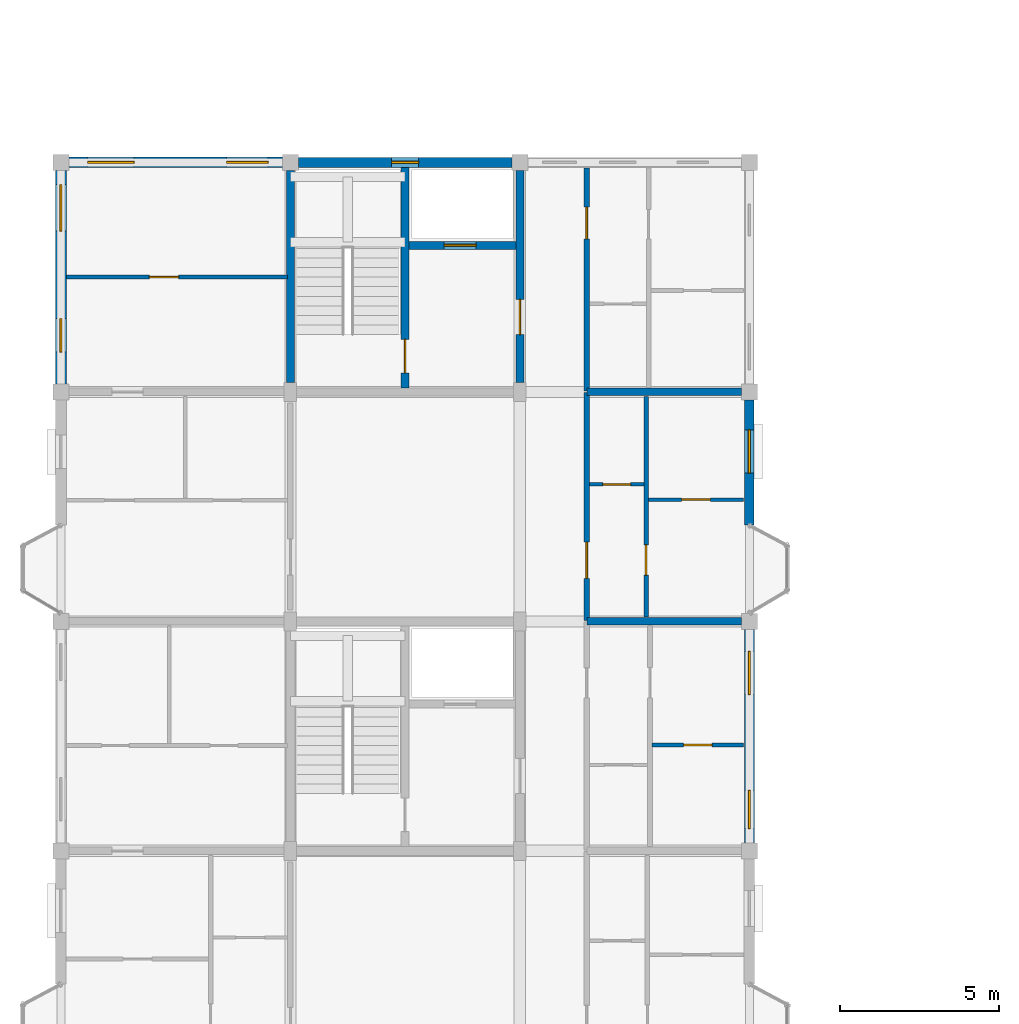
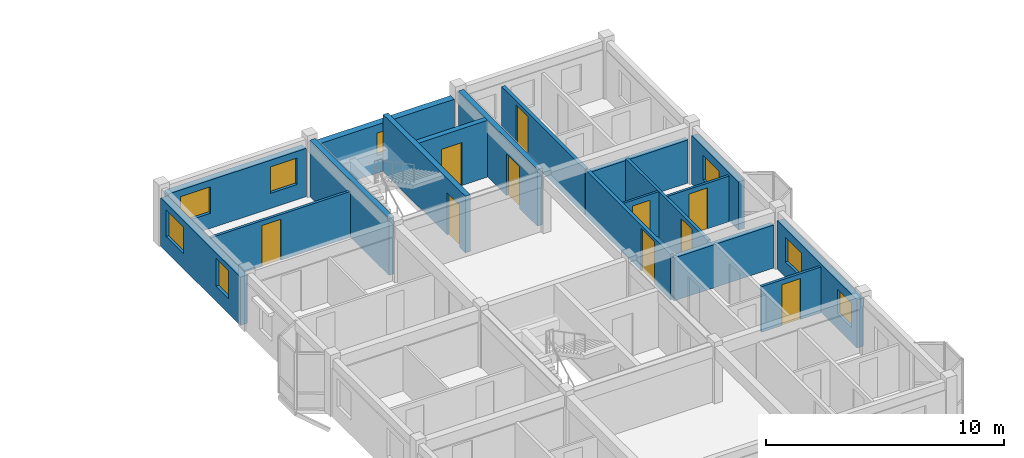
# One storey, part 52 of 70: 18 walls, 10 doors, 8 windows, 18 openings.
"""IFC4 building model written with IfcOpenShell, lengths in metres."""

import ifcopenshell
import ifcopenshell.guid

model = None  # the IFC model being written
_history = None  # IfcOwnerHistory: only IFC2X3 demands one
_inside = {}  # id of a spatial element -> (the spatial element, [elements in it])
_under = {}  # id of a project, library or spatial element -> (it, [spatial elements below it])
_declared = {}  # id of a project -> (the project, [libraries it declares])
_typed = {}  # id of a type object -> (the type object, [elements of that type])
_made_of = {}  # id of a material, layer set ... -> (it, [elements and type objects made of it])


def new_model(schema):
    """Start an empty IFC model of exactly this schema.

    Asked for "IFC4X3", IfcOpenShell would pick the latest addendum, in which some entities
    have other attributes; the version numbers below select the first issue.
    IFC2X3 requires an IfcOwnerHistory on every rooted entity: one is made here for all.
    """
    global model, _history
    if schema == "IFC4X3":
        model = ifcopenshell.file(schema_version=(4, 3, 0, 0))
    else:
        model = ifcopenshell.file(schema=schema)
    _inside.clear()
    _under.clear()
    _declared.clear()
    _typed.clear()
    _made_of.clear()
    _history = None
    if model.schema == "IFC2X3":
        org = make("IfcOrganization", Name="unknown")
        user = make(
            "IfcPersonAndOrganization",
            ThePerson=make("IfcPerson", FamilyName="unknown"),
            TheOrganization=org,
        )
        app = make(
            "IfcApplication",
            ApplicationDeveloper=org,
            Version="unknown",
            ApplicationFullName="unknown",
            ApplicationIdentifier="unknown",
        )
        _history = make(
            "IfcOwnerHistory",
            OwningUser=user,
            OwningApplication=app,
            ChangeAction="ADDED",
            CreationDate=0,
        )
    return model


def make(cls, **values):
    """One entity of the class cls with the attributes given. An attribute that is None is left unset."""
    return model.create_entity(
        cls, **{name: value for name, value in values.items() if value is not None}
    )


def rooted(cls, **values):
    """An entity with a GlobalId (a new one), such as an element, a storey or a relation."""
    return make(cls, GlobalId=ifcopenshell.guid.new(), OwnerHistory=_history, **values)


def si_unit(unit_type, name, prefix=None):
    """IfcSIUnit, for example si_unit("LENGTHUNIT", "METRE", prefix="MILLI")."""
    return make("IfcSIUnit", UnitType=unit_type, Prefix=prefix, Name=name)


def assignment(units):
    """IfcUnitAssignment: the units of a project."""
    return None if units is None else make("IfcUnitAssignment", Units=units)


def point(xyz):
    """IfcCartesianPoint."""
    return None if xyz is None else make("IfcCartesianPoint", Coordinates=xyz)


def direction(xyz):
    """IfcDirection."""
    return None if xyz is None else make("IfcDirection", DirectionRatios=xyz)


def frame(location, z_axis=None, x_axis=None):
    """IfcAxis2Placement3D, a coordinate frame: its origin and axes. An axis left out is left unset."""
    return make(
        "IfcAxis2Placement3D",
        Location=point(location),
        Axis=direction(z_axis),
        RefDirection=direction(x_axis),
    )


def frame_2d(location, x_axis=None):
    """IfcAxis2Placement2D, a coordinate frame in the plane: its origin and x axis."""
    return make(
        "IfcAxis2Placement2D", Location=point(location), RefDirection=direction(x_axis)
    )


def origin():
    """The frame at (0, 0, 0) with its axes left unset."""
    return frame((0.0, 0.0, 0.0))


def place(relative_to, where):
    """IfcLocalPlacement: puts the frame where relative to a parent placement (None: the world)."""
    return make(
        "IfcLocalPlacement", PlacementRelTo=relative_to, RelativePlacement=where
    )


def context(
    kind, dimensions, precision=None, world=None, true_north=None, identifier=None
):
    """IfcGeometricRepresentationContext, for example the 3D "Model" context."""
    return make(
        "IfcGeometricRepresentationContext",
        ContextIdentifier=identifier,
        ContextType=kind,
        CoordinateSpaceDimension=dimensions,
        Precision=precision,
        WorldCoordinateSystem=world,
        TrueNorth=true_north,
    )


def subcontext(parent, identifier, kind, view, scale=None):
    """IfcGeometricRepresentationSubContext, for example "Body" below "Model"."""
    return make(
        "IfcGeometricRepresentationSubContext",
        ContextIdentifier=identifier,
        ContextType=kind,
        ParentContext=parent,
        TargetScale=scale,
        TargetView=view,
    )


def project(units=None, contexts=None):
    """IfcProject with its units and contexts."""
    return rooted(
        "IfcProject",
        Name="project",
        RepresentationContexts=contexts,
        UnitsInContext=assignment(units),
    )


def spatial(cls, under=None, at=None, **own):
    """A site, building, storey or space (cls), placed at a placement, below another one or the project."""
    s = rooted(cls, ObjectPlacement=at, **own)
    if under is not None:
        _under.setdefault(under.id(), (under, []))[1].append(s)
    return s


def profile(cls, at=None, kind="AREA", **sizes):
    """A parametric profile (cls). Its sizes go by their IFC names, for example OverallWidth=200.0."""
    return make(cls, ProfileType=kind, Position=at, **sizes)


def rectangle(**sizes):
    """IfcRectangleProfileDef."""
    return profile("IfcRectangleProfileDef", **sizes)


def extrude(swept, where, along, depth):
    """IfcExtrudedAreaSolid: the profile swept, set in the frame where, extruded along a direction by depth."""
    return make(
        "IfcExtrudedAreaSolid",
        SweptArea=swept,
        Position=where,
        ExtrudedDirection=direction(along),
        Depth=depth,
    )


def shape(context_of_items, identifier, shape_type, items):
    """IfcShapeRepresentation: the items that make up one representation, for example the "Body"."""
    return make(
        "IfcShapeRepresentation",
        ContextOfItems=context_of_items,
        RepresentationIdentifier=identifier,
        RepresentationType=shape_type,
        Items=items,
    )


def material(Name=None, Category=None):
    """IfcMaterial."""
    return make("IfcMaterial", Name=Name, Category=Category)


def layer(
    of_material, thickness, ventilated=None, Name=None, Category=None, Priority=None
):
    """IfcMaterialLayer: one layer of a wall or slab, of a material (None: an air gap)."""
    return make(
        "IfcMaterialLayer",
        Material=of_material,
        LayerThickness=thickness,
        IsVentilated=ventilated,
        Name=Name,
        Category=Category,
        Priority=Priority,
    )


def layer_set(layers, Name=None):
    """IfcMaterialLayerSet."""
    return make("IfcMaterialLayerSet", MaterialLayers=layers, LayerSetName=Name)


def made_of(thing, what):
    """Note that an element or type object is made of a material, layer set ...; save() writes the relation."""
    if what is not None:
        _made_of.setdefault(what.id(), (what, []))[1].append(thing)
    return thing


def type_object(cls, material=None, **own):
    """A type object (cls), such as IfcWallType, which elements share."""
    return made_of(rooted(cls, **own), material)


def element(
    cls,
    number,
    at=None,
    inside=None,
    cuts=None,
    type_object=None,
    material=None,
    context=None,
    identifier="Body",
    shape_type=None,
    held_by="IfcProductDefinitionShape",
    body=None,
    shapes=None,
    **own,
):
    """One element of the class cls, such as IfcWall. Its Tag is "e" and its number.

    at: its placement. inside: the storey or other place that contains it. cuts: it is an
    opening in that element (IfcRelVoidsElement). A single representation is given by context,
    identifier, shape_type and body (its items); several are given by shapes. held_by: the class
    of the entity that holds the representations. save() writes the other relations.
    """
    e = rooted(cls, Tag="e%d" % number, ObjectPlacement=at, **own)
    if body is not None:
        shapes = [shape(context, identifier, shape_type, body)]
    if shapes is not None:
        e.Representation = make(held_by, Representations=shapes)
    if inside is not None:
        _inside.setdefault(inside.id(), (inside, []))[1].append(e)
    if cuts is not None:
        rooted(
            "IfcRelVoidsElement", RelatingBuildingElement=cuts, RelatedOpeningElement=e
        )
    if type_object is not None:
        _typed.setdefault(type_object.id(), (type_object, []))[1].append(e)
    return made_of(e, material)


def fill(opening, filler):
    """IfcRelFillsElement: the door or window that sits in an opening."""
    return rooted(
        "IfcRelFillsElement",
        RelatingOpeningElement=opening,
        RelatedBuildingElement=filler,
    )


def aggregate(whole, parts):
    """IfcRelAggregates: a whole, such as a stair, and the parts it consists of."""
    return rooted("IfcRelAggregates", RelatingObject=whole, RelatedObjects=parts)


def save(model, path):
    """Write the relations noted so far, then the file.

    IfcRelAggregates (storeys below a building ...), IfcRelContainedInSpatialStructure (elements
    in a storey), IfcRelDefinesByType, IfcRelAssociatesMaterial and IfcRelDeclares: one each for
    every whole, place, type object, material and project.
    """
    for whole, parts in _under.values():
        aggregate(whole, parts)
    for where, things in _inside.values():
        rooted(
            "IfcRelContainedInSpatialStructure",
            RelatedElements=things,
            RelatingStructure=where,
        )
    for kind, things in _typed.values():
        rooted("IfcRelDefinesByType", RelatedObjects=things, RelatingType=kind)
    for what, things in _made_of.values():
        rooted("IfcRelAssociatesMaterial", RelatedObjects=things, RelatingMaterial=what)
    for by, libraries in _declared.values():
        rooted("IfcRelDeclares", RelatingContext=by, RelatedDefinitions=libraries)
    model.write(path)


model = new_model("IFC4")

# Units and contexts
model_context = context("Model", 3, precision=1e-05, world=origin(), true_north=direction((0.0, 1.0)))
body_context = subcontext(model_context, "Body", "Model", "MODEL_VIEW")
ifc_project = project(units=[si_unit("LENGTHUNIT", "METRE"), si_unit("AREAUNIT", "SQUARE_METRE"), si_unit("VOLUMEUNIT", "CUBIC_METRE"), si_unit("PLANEANGLEUNIT", "RADIAN"), si_unit("MASSUNIT", "GRAM", prefix="KILO"), si_unit("THERMODYNAMICTEMPERATUREUNIT", "KELVIN"), si_unit("POWERUNIT", "WATT")], contexts=[model_context])

# Site, building, storey
site_placement = place(None, origin())
site = spatial("IfcSite", under=ifc_project, at=site_placement, CompositionType="ELEMENT")
building_placement = place(site_placement, origin())
building = spatial("IfcBuilding", under=site, at=building_placement, Name="Tavuni Mirador Residences", CompositionType="ELEMENT")
storey_placement = place(building_placement, frame((0.0, 0.0, 23.39990234375)))
storey = spatial("IfcBuildingStorey", under=building, at=storey_placement, Name="L07", CompositionType="ELEMENT", Elevation=23.39990234375)

# Wall
ifc_material_1 = material(Name="Precast concrete C40/50", Category="concrete")
ifc_layer_1 = layer(ifc_material_1, 0.25, Name="Precast concrete C40/50", Category="concrete")
ifc_layer_set_1 = layer_set([ifc_layer_1], Name="Precast concrete C40/50")
wall_type_1 = type_object("IfcWallType", Name="WT-COR250", PredefinedType="SHEAR", material=ifc_layer_set_1)
wall_1_placement = place(storey_placement, frame((10.800048828125, 86.699951171875, 0.0), z_axis=(0.0, 0.0, 1.0), x_axis=(0.0, 1.0, 0.0)))
element("IfcWall", 1, at=wall_1_placement, inside=storey, type_object=wall_type_1, Name="CWALL-C4-L07-W", PredefinedType="SHEAR", context=body_context, shape_type="SweptSolid", body=[
    extrude(rectangle(XDim=6.650146484375, YDim=0.25, at=frame_2d((3.3251953125, 0.0))), origin(), (0.0, 0.0, 1.0), 2.91015625),
])

# Wall, opening, door
wall_2_placement = place(storey_placement, frame((18.0, 86.699951171875, 0.0), z_axis=(0.0, 0.0, 1.0), x_axis=(0.0, 1.0, 0.0)))
wall_2 = element("IfcWall", 2, at=wall_2_placement, inside=storey, type_object=wall_type_1, Name="CWALL-C4-L07-E", PredefinedType="SHEAR", context=body_context, shape_type="SweptSolid", body=[
    extrude(rectangle(XDim=6.650146484375, YDim=0.25, at=frame_2d((3.3251953125, 0.0))), origin(), (0.0, 0.0, 1.0), 2.91015625),
])
opening_1_placement = place(wall_2_placement, frame((1.5, 0.0, 0.0)))
opening_1 = element("IfcOpeningElement", 3, at=opening_1_placement, cuts=wall_2, Name="Opening D-02", PredefinedType="OPENING", context=body_context, shape_type="SweptSolid", body=[
    extrude(rectangle(XDim=1.10009765625, YDim=2.14990234375, at=frame_2d((0.550048828125, 1.074951171875))), frame((0.0, 0.135009765625, 0.0), z_axis=(0.0, -1.0, 0.0), x_axis=(1.0, 0.0, 0.0)), (0.0, 0.0, 1.0), 0.27001953125),
])
ifc_material_2 = material(Name="Solid core iroko timber", Category="wood")
door_type_1 = type_object("IfcDoorType", Name="DT-LOB1100", OperationType="NOTDEFINED", PredefinedType="DOOR", material=ifc_material_2)
door_1_placement = place(opening_1_placement, frame((1.10009765625, 0.0, 0.0), z_axis=(0.0, 0.0, 1.0), x_axis=(-1.0, 0.0, 0.0)))
door_1 = element("IfcDoor", 4, at=door_1_placement, inside=storey, type_object=door_type_1, Name="DR-2165", OperationType="SINGLE_SWING_RIGHT", OverallHeight=2.14990234375, OverallWidth=1.10009765625, PredefinedType="DOOR", context=body_context, shape_type="SweptSolid", body=[
    extrude(rectangle(XDim=1.10009765625, YDim=2.14990234375, at=frame_2d((0.550048828125, 1.074951171875))), frame((0.0, 0.02490234375, 0.0), z_axis=(0.0, -1.0, 0.0), x_axis=(1.0, 0.0, 0.0)), (0.0, 0.0, 1.0), 0.050048828125),
])
fill(opening_1, door_1)

wall_3_placement = place(storey_placement, frame((14.39990234375, 86.52490234375, 0.0), z_axis=(0.0, 0.0, 1.0), x_axis=(0.0, 1.0, 0.0)))
wall_3 = element("IfcWall", 5, at=wall_3_placement, inside=storey, type_object=wall_type_1, Name="CWALL-C4-L07-MID", PredefinedType="SHEAR", context=body_context, shape_type="SweptSolid", body=[
    extrude(rectangle(XDim=6.9150390625, YDim=0.25, at=frame_2d((3.45751953125, 0.0))), origin(), (0.0, 0.0, 1.0), 2.91015625),
])
opening_2_placement = place(wall_3_placement, frame((0.47509765625, 0.0, 0.0)))
opening_2 = element("IfcOpeningElement", 6, at=opening_2_placement, cuts=wall_3, Name="Opening D-01", PredefinedType="OPENING", context=body_context, shape_type="SweptSolid", body=[
    extrude(rectangle(XDim=1.050048828125, YDim=2.14990234375, at=frame_2d((0.52490234375, 1.074951171875))), frame((0.0, 0.135009765625, 0.0), z_axis=(0.0, -1.0, 0.0), x_axis=(1.0, 0.0, 0.0)), (0.0, 0.0, 1.0), 0.27001953125),
])
door_type_2 = type_object("IfcDoorType", Name="DT-ST1050", OperationType="NOTDEFINED", PredefinedType="DOOR", material=ifc_material_2)
door_2_placement = place(opening_2_placement, origin())
door_2 = element("IfcDoor", 7, at=door_2_placement, inside=storey, type_object=door_type_2, Name="DR-2166", OperationType="SINGLE_SWING_RIGHT", OverallHeight=2.14990234375, OverallWidth=1.050048828125, PredefinedType="DOOR", context=body_context, shape_type="SweptSolid", body=[
    extrude(rectangle(XDim=1.050048828125, YDim=2.14990234375, at=frame_2d((0.52490234375, 1.074951171875))), frame((0.0, 0.02490234375, 0.0), z_axis=(0.0, -1.0, 0.0), x_axis=(1.0, 0.0, 0.0)), (0.0, 0.0, 1.0), 0.050048828125),
])
fill(opening_2, door_2)

wall_4_placement = place(storey_placement, frame((14.52490234375, 91.0, 0.0), z_axis=(0.0, 0.0, 1.0), x_axis=(1.0, 0.0, 0.0)))
wall_4 = element("IfcWall", 8, at=wall_4_placement, inside=storey, type_object=wall_type_1, Name="CWALL-C4-L07-SHF", PredefinedType="SHEAR", context=body_context, shape_type="SweptSolid", body=[
    extrude(rectangle(XDim=3.35009765625, YDim=0.25, at=frame_2d((1.675048828125, 0.0))), origin(), (0.0, 0.0, 1.0), 2.91015625),
])
opening_3_placement = place(wall_4_placement, frame((1.10009765625, 0.0, 0.0)))
opening_3 = element("IfcOpeningElement", 9, at=opening_3_placement, cuts=wall_4, Name="Opening LD-02", PredefinedType="OPENING", context=body_context, shape_type="SweptSolid", body=[
    extrude(rectangle(XDim=1.0, YDim=2.199951171875, at=frame_2d((0.5, 1.10009765625))), frame((0.0, 0.135009765625, 0.0), z_axis=(0.0, -1.0, 0.0), x_axis=(1.0, 0.0, 0.0)), (0.0, 0.0, 1.0), 0.27001953125),
])
ifc_material_3 = material(Name="Structural steel S355", Category="steel")
door_type_3 = type_object("IfcDoorType", Name="DT-LD-PAX", OperationType="SLIDING_TO_LEFT", PredefinedType="DOOR", material=ifc_material_3)
door_3_placement = place(opening_3_placement, origin())
door_3 = element("IfcDoor", 10, at=door_3_placement, inside=storey, type_object=door_type_3, Name="Lift landing door PL-B2 L07", OperationType="SLIDING_TO_LEFT", OverallHeight=2.199951171875, OverallWidth=1.0, PredefinedType="DOOR", context=body_context, shape_type="SweptSolid", body=[
    extrude(rectangle(XDim=1.0, YDim=2.199951171875, at=frame_2d((0.5, 1.10009765625))), frame((0.0, 0.02490234375, 0.0), z_axis=(0.0, -1.0, 0.0), x_axis=(1.0, 0.0, 0.0)), (0.0, 0.0, 1.0), 0.050048828125),
])
fill(opening_3, door_3)

ifc_layer_2 = layer(ifc_material_1, 0.1650390625, Name="Precast concrete C40/50", Category="concrete")
ifc_layer_set_2 = layer_set([ifc_layer_2], Name="Precast concrete C40/50")
wall_type_2 = type_object("IfcWallType", Name="WT-CORR165", PredefinedType="PARTITIONING", material=ifc_layer_set_2)
wall_5_placement = place(storey_placement, frame((20.10009765625, 79.219970703125, 0.0), z_axis=(0.0, 0.0, 1.0), x_axis=(0.0, 1.0, 0.0)))
wall_5 = element("IfcWall", 11, at=wall_5_placement, inside=storey, type_object=wall_type_2, Name="CORW-BLK-B-L07-0-02", PredefinedType="PARTITIONING", context=body_context, shape_type="SweptSolid", body=[
    extrude(rectangle(XDim=7.159912109375, YDim=0.1650390625, at=frame_2d((3.580078125, 0.0))), origin(), (0.0, 0.0, 1.0), 2.34521484375),
])
opening_4_placement = place(wall_5_placement, frame((1.330078125, 0.0, 0.0)))
opening_4 = element("IfcOpeningElement", 12, at=opening_4_placement, cuts=wall_5, Name="Opening D-20", PredefinedType="OPENING", context=body_context, shape_type="SweptSolid", body=[
    extrude(rectangle(XDim=1.139892578125, YDim=2.179931640625, at=frame_2d((0.56982421875, 1.08984375))), frame((0.0, 0.092529296875, 0.0), z_axis=(0.0, -1.0, 0.0), x_axis=(1.0, 0.0, 0.0)), (0.0, 0.0, 1.0), 0.18505859375),
])
door_type_4 = type_object("IfcDoorType", Name="DT-FD60-1140", OperationType="NOTDEFINED", PredefinedType="DOOR", material=ifc_material_2)
door_4_placement = place(opening_4_placement, origin())
door_4 = element("IfcDoor", 13, at=door_4_placement, inside=storey, type_object=door_type_4, Name="DR-2585", OperationType="SINGLE_SWING_RIGHT", OverallHeight=2.179931640625, OverallWidth=1.139892578125, PredefinedType="DOOR", context=body_context, shape_type="SweptSolid", body=[
    extrude(rectangle(XDim=1.139892578125, YDim=2.179931640625, at=frame_2d((0.56982421875, 1.08984375))), frame((0.0, 0.02490234375, 0.0), z_axis=(0.0, -1.0, 0.0), x_axis=(1.0, 0.0, 0.0)), (0.0, 0.0, 1.0), 0.050048828125),
])
fill(opening_4, door_4)

wall_6_placement = place(storey_placement, frame((20.10009765625, 86.419921875, 0.0), z_axis=(0.0, 0.0, 1.0), x_axis=(0.0, 1.0, 0.0)))
wall_6 = element("IfcWall", 14, at=wall_6_placement, inside=storey, type_object=wall_type_2, Name="CORW-BLK-B-L07-0-03", PredefinedType="PARTITIONING", context=body_context, shape_type="SweptSolid", body=[
    extrude(rectangle(XDim=7.005126953125, YDim=0.1650390625, at=frame_2d((3.50244140625, 0.0))), origin(), (0.0, 0.0, 1.0), 2.34521484375),
])
opening_5_placement = place(wall_6_placement, frame((4.780029296875, 0.0, 0.0)))
opening_5 = element("IfcOpeningElement", 15, at=opening_5_placement, cuts=wall_6, Name="Opening D-03", PredefinedType="OPENING", context=body_context, shape_type="SweptSolid", body=[
    extrude(rectangle(XDim=1.0, YDim=2.14990234375, at=frame_2d((0.5, 1.074951171875))), frame((0.0, 0.092529296875, 0.0), z_axis=(0.0, -1.0, 0.0), x_axis=(1.0, 0.0, 0.0)), (0.0, 0.0, 1.0), 0.18505859375),
])
door_type_5 = type_object("IfcDoorType", Name="DT-FD60-1000", OperationType="NOTDEFINED", PredefinedType="DOOR", material=ifc_material_2)
door_5_placement = place(opening_5_placement, origin())
door_5 = element("IfcDoor", 16, at=door_5_placement, inside=storey, type_object=door_type_5, Name="DR-2586", OperationType="SINGLE_SWING_LEFT", OverallHeight=2.14990234375, OverallWidth=1.0, PredefinedType="DOOR", context=body_context, shape_type="SweptSolid", body=[
    extrude(rectangle(XDim=1.0, YDim=2.14990234375, at=frame_2d((0.5, 1.074951171875))), frame((0.0, 0.02490234375, 0.0), z_axis=(0.0, -1.0, 0.0), x_axis=(1.0, 0.0, 0.0)), (0.0, 0.0, 1.0), 0.050048828125),
])
fill(opening_5, door_5)

# Wall, openings, windows
ifc_layer_3 = layer(ifc_material_1, 0.330078125, Name="Precast concrete C40/50", Category="concrete")
ifc_layer_set_3 = layer_set([ifc_layer_3], Name="Precast concrete C40/50")
wall_type_3 = type_object("IfcWallType", Name="WT-EXT-COR330", PredefinedType="SOLIDWALL", material=ifc_layer_set_3)
wall_7_placement = place(storey_placement, frame((10.550048828125, 93.60009765625, 0.0), z_axis=(0.0, 0.0, 1.0), x_axis=(-1.0, 0.0, 0.0)))
wall_7 = element("IfcWall", 17, at=wall_7_placement, inside=storey, type_object=wall_type_3, Name="EW-BLK-B-L07-N00", PredefinedType="SOLIDWALL", context=body_context, shape_type="SweptSolid", body=[
    extrude(rectangle(XDim=6.699951171875, YDim=0.330078125, at=frame_2d((3.35009765625, 0.0))), origin(), (0.0, 0.0, 1.0), 2.47998046875),
])
opening_6_placement = place(wall_7_placement, frame((0.449951171875, 0.0, 0.780029296875)))
opening_6 = element("IfcOpeningElement", 18, at=opening_6_placement, cuts=wall_7, Name="Opening WN-22", PredefinedType="OPENING", context=body_context, shape_type="SweptSolid", body=[
    extrude(rectangle(XDim=1.300048828125, YDim=1.360107421875, at=frame_2d((0.64990234375, 0.68017578125))), frame((0.0, 0.175048828125, 0.0), z_axis=(0.0, -1.0, 0.0), x_axis=(1.0, 0.0, 0.0)), (0.0, 0.0, 1.0), 0.35009765625),
])
opening_7_placement = place(wall_7_placement, frame((4.64990234375, 0.0, 0.780029296875)))
opening_7 = element("IfcOpeningElement", 19, at=opening_7_placement, cuts=wall_7, Name="Opening WN-24", PredefinedType="OPENING", context=body_context, shape_type="SweptSolid", body=[
    extrude(rectangle(XDim=1.4599609375, YDim=1.360107421875, at=frame_2d((0.72998046875, 0.68017578125))), frame((0.0, 0.175048828125, 0.0), z_axis=(0.0, -1.0, 0.0), x_axis=(1.0, 0.0, 0.0)), (0.0, 0.0, 1.0), 0.35009765625),
])
ifc_material_4 = material(Name="Laminated solar-control glass", Category="glass")
window_type_1 = type_object("IfcWindowType", Name="WNT-22", PartitioningType="SINGLE_PANEL", PredefinedType="WINDOW", material=ifc_material_4)
window_1_placement = place(opening_6_placement, origin())
window_1 = element("IfcWindow", 20, at=window_1_placement, inside=storey, type_object=window_type_1, Name="WIN-0764", OverallHeight=1.360107421875, OverallWidth=1.300048828125, PartitioningType="SINGLE_PANEL", PredefinedType="WINDOW", context=body_context, shape_type="SweptSolid", body=[
    extrude(rectangle(XDim=1.300048828125, YDim=1.360107421875, at=frame_2d((0.64990234375, 0.68017578125))), frame((0.0, 0.030029296875, 0.0), z_axis=(0.0, -1.0, 0.0), x_axis=(1.0, 0.0, 0.0)), (0.0, 0.0, 1.0), 0.06005859375),
])
fill(opening_6, window_1)
window_type_2 = type_object("IfcWindowType", Name="WNT-24", PartitioningType="SINGLE_PANEL", PredefinedType="WINDOW", material=ifc_material_4)
window_2_placement = place(opening_7_placement, origin())
window_2 = element("IfcWindow", 21, at=window_2_placement, inside=storey, type_object=window_type_2, Name="WIN-0765", OverallHeight=1.360107421875, OverallWidth=1.4599609375, PartitioningType="SINGLE_PANEL", PredefinedType="WINDOW", context=body_context, shape_type="SweptSolid", body=[
    extrude(rectangle(XDim=1.4599609375, YDim=1.360107421875, at=frame_2d((0.72998046875, 0.68017578125))), frame((0.0, 0.030029296875, 0.0), z_axis=(0.0, -1.0, 0.0), x_axis=(1.0, 0.0, 0.0)), (0.0, 0.0, 1.0), 0.06005859375),
])
fill(opening_7, window_2)

# Wall, opening, window
ifc_material_5 = material(Name="Sgraffito lime-rendered precast concrete C40/50", Category="concrete")
ifc_layer_4 = layer(ifc_material_5, 0.304931640625, Name="Sgraffito lime-rendered precast concrete C40/50", Category="concrete")
ifc_layer_set_4 = layer_set([ifc_layer_4], Name="Sgraffito lime-rendered precast concrete C40/50")
wall_type_4 = type_object("IfcWallType", Name="WT-EXT-PC305", PredefinedType="SOLIDWALL", material=ifc_layer_set_4)
wall_8_placement = place(storey_placement, frame((25.199951171875, 82.219970703125, 0.0), z_axis=(0.0, 0.0, 1.0), x_axis=(0.0, 1.0, 0.0)))
wall_8 = element("IfcWall", 22, at=wall_8_placement, inside=storey, type_object=wall_type_4, Name="EW-BLK-B-L07-E02", PredefinedType="SOLIDWALL", context=body_context, shape_type="SweptSolid", body=[
    extrude(rectangle(XDim=3.929931640625, YDim=0.304931640625, at=frame_2d((1.96484375, 0.0))), origin(), (0.0, 0.0, 1.0), 2.47998046875),
])
opening_8_placement = place(wall_8_placement, frame((1.6298828125, 0.0, 0.780029296875)))
opening_8 = element("IfcOpeningElement", 23, at=opening_8_placement, cuts=wall_8, Name="Opening WN-15", PredefinedType="OPENING", context=body_context, shape_type="SweptSolid", body=[
    extrude(rectangle(XDim=1.360107421875, YDim=1.260009765625, at=frame_2d((0.68017578125, 0.6298828125))), frame((0.0, 0.16259765625, 0.0), z_axis=(0.0, -1.0, 0.0), x_axis=(1.0, 0.0, 0.0)), (0.0, 0.0, 1.0), 0.324951171875),
])
window_type_3 = type_object("IfcWindowType", Name="WNT-15", PartitioningType="SINGLE_PANEL", PredefinedType="WINDOW", material=ifc_material_4)
window_3_placement = place(opening_8_placement, origin())
window_3 = element("IfcWindow", 24, at=window_3_placement, inside=storey, type_object=window_type_3, Name="WIN-0757", OverallHeight=1.260009765625, OverallWidth=1.360107421875, PartitioningType="SINGLE_PANEL", PredefinedType="WINDOW", context=body_context, shape_type="SweptSolid", body=[
    extrude(rectangle(XDim=1.360107421875, YDim=1.260009765625, at=frame_2d((0.68017578125, 0.6298828125))), frame((0.0, 0.030029296875, 0.0), z_axis=(0.0, -1.0, 0.0), x_axis=(1.0, 0.0, 0.0)), (0.0, 0.0, 1.0), 0.06005859375),
])
fill(opening_8, window_3)

# Wall, openings, windows
ifc_layer_5 = layer(ifc_material_5, 0.31494140625, Name="Sgraffito lime-rendered precast concrete C40/50", Category="concrete")
ifc_layer_set_5 = layer_set([ifc_layer_5], Name="Sgraffito lime-rendered precast concrete C40/50")
wall_type_5 = type_object("IfcWallType", Name="WT-EXT-PC315", PredefinedType="SOLIDWALL", material=ifc_layer_set_5)
wall_9_placement = place(storey_placement, frame((25.199951171875, 72.25, 0.0), z_axis=(0.0, 0.0, 1.0), x_axis=(0.0, 1.0, 0.0)))
wall_9 = element("IfcWall", 25, at=wall_9_placement, inside=storey, type_object=wall_type_5, Name="EW-BLK-B-L07-E01", PredefinedType="SOLIDWALL", context=body_context, shape_type="SweptSolid", body=[
    extrude(rectangle(XDim=6.699951171875, YDim=0.31494140625, at=frame_2d((3.35009765625, 0.0))), origin(), (0.0, 0.0, 1.0), 2.47998046875),
])
opening_9_placement = place(wall_9_placement, frame((0.449951171875, 0.0, 0.780029296875)))
opening_9 = element("IfcOpeningElement", 26, at=opening_9_placement, cuts=wall_9, Name="Opening WN-13", PredefinedType="OPENING", context=body_context, shape_type="SweptSolid", body=[
    extrude(rectangle(XDim=1.199951171875, YDim=1.260009765625, at=frame_2d((0.60009765625, 0.6298828125))), frame((0.0, 0.16748046875, 0.0), z_axis=(0.0, -1.0, 0.0), x_axis=(1.0, 0.0, 0.0)), (0.0, 0.0, 1.0), 0.3349609375),
])
opening_10_placement = place(wall_9_placement, frame((4.64990234375, 0.0, 0.780029296875)))
opening_10 = element("IfcOpeningElement", 27, at=opening_10_placement, cuts=wall_9, Name="Opening WN-15", PredefinedType="OPENING", context=body_context, shape_type="SweptSolid", body=[
    extrude(rectangle(XDim=1.360107421875, YDim=1.260009765625, at=frame_2d((0.68017578125, 0.6298828125))), frame((0.0, 0.16748046875, 0.0), z_axis=(0.0, -1.0, 0.0), x_axis=(1.0, 0.0, 0.0)), (0.0, 0.0, 1.0), 0.3349609375),
])
window_type_4 = type_object("IfcWindowType", Name="WNT-13", PartitioningType="SINGLE_PANEL", PredefinedType="WINDOW", material=ifc_material_4)
window_4_placement = place(opening_9_placement, origin())
window_4 = element("IfcWindow", 28, at=window_4_placement, inside=storey, type_object=window_type_4, Name="WIN-0755", OverallHeight=1.260009765625, OverallWidth=1.199951171875, PartitioningType="SINGLE_PANEL", PredefinedType="WINDOW", context=body_context, shape_type="SweptSolid", body=[
    extrude(rectangle(XDim=1.199951171875, YDim=1.260009765625, at=frame_2d((0.60009765625, 0.6298828125))), frame((0.0, 0.030029296875, 0.0), z_axis=(0.0, -1.0, 0.0), x_axis=(1.0, 0.0, 0.0)), (0.0, 0.0, 1.0), 0.06005859375),
])
fill(opening_9, window_4)
window_5_placement = place(opening_10_placement, origin())
window_5 = element("IfcWindow", 29, at=window_5_placement, inside=storey, type_object=window_type_3, Name="WIN-0756", OverallHeight=1.260009765625, OverallWidth=1.360107421875, PartitioningType="SINGLE_PANEL", PredefinedType="WINDOW", context=body_context, shape_type="SweptSolid", body=[
    extrude(rectangle(XDim=1.360107421875, YDim=1.260009765625, at=frame_2d((0.68017578125, 0.6298828125))), frame((0.0, 0.030029296875, 0.0), z_axis=(0.0, -1.0, 0.0), x_axis=(1.0, 0.0, 0.0)), (0.0, 0.0, 1.0), 0.06005859375),
])
fill(opening_10, window_5)

# Wall, opening, window
wall_10_placement = place(storey_placement, frame((17.75, 93.60009765625, 0.0), z_axis=(0.0, 0.0, 1.0), x_axis=(-1.0, 0.0, 0.0)))
wall_10 = element("IfcWall", 30, at=wall_10_placement, inside=storey, type_object=wall_type_5, Name="EW-BLK-B-L07-N01", PredefinedType="SOLIDWALL", context=body_context, shape_type="SweptSolid", body=[
    extrude(rectangle(XDim=6.699951171875, YDim=0.31494140625, at=frame_2d((3.35009765625, 0.0))), origin(), (0.0, 0.0, 1.0), 2.47998046875),
])
opening_11_placement = place(wall_10_placement, frame((2.925048828125, 0.0, 0.89990234375)))
opening_11 = element("IfcOpeningElement", 31, at=opening_11_placement, cuts=wall_10, Name="Opening WN-01", PredefinedType="OPENING", context=body_context, shape_type="SweptSolid", body=[
    extrude(rectangle(XDim=0.85009765625, YDim=1.14990234375, at=frame_2d((0.425048828125, 0.574951171875))), frame((0.0, 0.16748046875, 0.0), z_axis=(0.0, -1.0, 0.0), x_axis=(1.0, 0.0, 0.0)), (0.0, 0.0, 1.0), 0.3349609375),
])
window_type_5 = type_object("IfcWindowType", Name="WNT-01", PartitioningType="SINGLE_PANEL", PredefinedType="WINDOW", material=ifc_material_4)
window_6_placement = place(opening_11_placement, origin())
window_6 = element("IfcWindow", 32, at=window_6_placement, inside=storey, type_object=window_type_5, Name="WIN-0763", OverallHeight=1.14990234375, OverallWidth=0.85009765625, PartitioningType="SINGLE_PANEL", PredefinedType="WINDOW", context=body_context, shape_type="SweptSolid", body=[
    extrude(rectangle(XDim=0.85009765625, YDim=1.14990234375, at=frame_2d((0.425048828125, 0.574951171875))), frame((0.0, 0.030029296875, 0.0), z_axis=(0.0, -1.0, 0.0), x_axis=(1.0, 0.0, 0.0)), (0.0, 0.0, 1.0), 0.06005859375),
])
fill(opening_11, window_6)

# Wall, openings, windows
ifc_layer_6 = layer(ifc_material_5, 0.344970703125, Name="Sgraffito lime-rendered precast concrete C40/50", Category="concrete")
ifc_layer_set_6 = layer_set([ifc_layer_6], Name="Sgraffito lime-rendered precast concrete C40/50")
wall_type_6 = type_object("IfcWallType", Name="WT-EXT-PTY345", PredefinedType="SOLIDWALL", material=ifc_layer_set_6)
wall_11_placement = place(storey_placement, frame((3.60009765625, 93.35009765625, 0.0), z_axis=(0.0, 0.0, 1.0), x_axis=(0.0, -1.0, 0.0)))
wall_11 = element("IfcWall", 33, at=wall_11_placement, inside=storey, type_object=wall_type_6, Name="EW-BLK-B-L07-W03", PredefinedType="SOLIDWALL", context=body_context, shape_type="SweptSolid", body=[
    extrude(rectangle(XDim=6.7001953125, YDim=0.344970703125, at=frame_2d((3.35009765625, 0.0))), origin(), (0.0, 0.0, 1.0), 2.47998046875),
])
opening_12_placement = place(wall_11_placement, frame((0.449951171875, 0.0, 0.780029296875)))
opening_12 = element("IfcOpeningElement", 34, at=opening_12_placement, cuts=wall_11, Name="Opening WN-24", PredefinedType="OPENING", context=body_context, shape_type="SweptSolid", body=[
    extrude(rectangle(XDim=1.4599609375, YDim=1.360107421875, at=frame_2d((0.72998046875, 0.68017578125))), frame((0.0, 0.1826171875, 0.0), z_axis=(0.0, -1.0, 0.0), x_axis=(1.0, 0.0, 0.0)), (0.0, 0.0, 1.0), 0.364990234375),
])
opening_13_placement = place(wall_11_placement, frame((4.64990234375, 0.0, 0.780029296875)))
opening_13 = element("IfcOpeningElement", 35, at=opening_13_placement, cuts=wall_11, Name="Opening WN-26", PredefinedType="OPENING", context=body_context, shape_type="SweptSolid", body=[
    extrude(rectangle(XDim=1.050048828125, YDim=1.43994140625, at=frame_2d((0.52490234375, 0.719970703125))), frame((0.0, 0.1826171875, 0.0), z_axis=(0.0, -1.0, 0.0), x_axis=(1.0, 0.0, 0.0)), (0.0, 0.0, 1.0), 0.364990234375),
])
window_7_placement = place(opening_12_placement, origin())
window_7 = element("IfcWindow", 36, at=window_7_placement, inside=storey, type_object=window_type_2, Name="WIN-0766", OverallHeight=1.360107421875, OverallWidth=1.4599609375, PartitioningType="SINGLE_PANEL", PredefinedType="WINDOW", context=body_context, shape_type="SweptSolid", body=[
    extrude(rectangle(XDim=1.4599609375, YDim=1.360107421875, at=frame_2d((0.72998046875, 0.68017578125))), frame((0.0, 0.030029296875, 0.0), z_axis=(0.0, -1.0, 0.0), x_axis=(1.0, 0.0, 0.0)), (0.0, 0.0, 1.0), 0.06005859375),
])
fill(opening_12, window_7)
window_type_6 = type_object("IfcWindowType", Name="WNT-26", PartitioningType="SINGLE_PANEL", PredefinedType="WINDOW", material=ifc_material_4)
window_8_placement = place(opening_13_placement, origin())
window_8 = element("IfcWindow", 37, at=window_8_placement, inside=storey, type_object=window_type_6, Name="WIN-0767", OverallHeight=1.43994140625, OverallWidth=1.050048828125, PartitioningType="SINGLE_PANEL", PredefinedType="WINDOW", context=body_context, shape_type="SweptSolid", body=[
    extrude(rectangle(XDim=1.050048828125, YDim=1.43994140625, at=frame_2d((0.52490234375, 0.719970703125))), frame((0.0, 0.030029296875, 0.0), z_axis=(0.0, -1.0, 0.0), x_axis=(1.0, 0.0, 0.0)), (0.0, 0.0, 1.0), 0.06005859375),
])
fill(opening_13, window_8)

# Wall, opening, door
ifc_material_6 = material(Name="Acoustic gypsum and concrete block partition", Category="concrete")
ifc_layer_7 = layer(ifc_material_6, 0.10498046875, Name="Acoustic gypsum and concrete block partition", Category="concrete")
ifc_layer_set_7 = layer_set([ifc_layer_7], Name="Acoustic gypsum and concrete block partition")
wall_type_7 = type_object("IfcWallType", Name="WT-PART105", PredefinedType="PARTITIONING", material=ifc_layer_set_7)
wall_12_placement = place(storey_placement, frame((20.18994140625, 83.5, 0.0), z_axis=(0.0, 0.0, 1.0), x_axis=(1.0, 0.0, 0.0)))
wall_12 = element("IfcWall", 38, at=wall_12_placement, inside=storey, type_object=wall_type_7, Name="PW-BLK-B-L07-E02-IN1", PredefinedType="PARTITIONING", context=body_context, shape_type="SweptSolid", body=[
    extrude(rectangle(XDim=1.699951171875, YDim=0.10498046875, at=frame_2d((0.85009765625, 0.0))), origin(), (0.0, 0.0, 1.0), 2.34521484375),
])
opening_14_placement = place(wall_12_placement, frame((0.4150390625, 0.0, 0.0)))
opening_14 = element("IfcOpeningElement", 39, at=opening_14_placement, cuts=wall_12, Name="Opening D-10", PredefinedType="OPENING", context=body_context, shape_type="SweptSolid", body=[
    extrude(rectangle(XDim=0.8701171875, YDim=2.050048828125, at=frame_2d((0.43505859375, 1.02490234375))), frame((0.0, 0.0625, 0.0), z_axis=(0.0, -1.0, 0.0), x_axis=(1.0, 0.0, 0.0)), (0.0, 0.0, 1.0), 0.125),
])
door_type_6 = type_object("IfcDoorType", Name="DT-WC870", OperationType="NOTDEFINED", PredefinedType="DOOR", material=ifc_material_2)
door_6_placement = place(opening_14_placement, origin())
door_6 = element("IfcDoor", 40, at=door_6_placement, inside=storey, type_object=door_type_6, Name="DR-3616", OperationType="SINGLE_SWING_RIGHT", OverallHeight=2.050048828125, OverallWidth=0.8701171875, PredefinedType="DOOR", context=body_context, shape_type="SweptSolid", body=[
    extrude(rectangle(XDim=0.8701171875, YDim=2.050048828125, at=frame_2d((0.43505859375, 1.02490234375))), frame((0.0, 0.02490234375, 0.0), z_axis=(0.0, -1.0, 0.0), x_axis=(1.0, 0.0, 0.0)), (0.0, 0.0, 1.0), 0.050048828125),
])
fill(opening_14, door_6)

ifc_layer_8 = layer(ifc_material_6, 0.114990234375, Name="Acoustic gypsum and concrete block partition", Category="concrete")
ifc_layer_set_8 = layer_set([ifc_layer_8], Name="Acoustic gypsum and concrete block partition")
wall_type_8 = type_object("IfcWallType", Name="WT-PART115", PredefinedType="PARTITIONING", material=ifc_layer_set_8)
wall_13_placement = place(storey_placement, frame((22.030029296875, 83.02001953125, 0.0), z_axis=(0.0, 0.0, 1.0), x_axis=(1.0, 0.0, 0.0)))
wall_13 = element("IfcWall", 41, at=wall_13_placement, inside=storey, type_object=wall_type_8, Name="PW-BLK-B-L07-E02-OUT", PredefinedType="PARTITIONING", context=body_context, shape_type="SweptSolid", body=[
    extrude(rectangle(XDim=2.994873046875, YDim=0.114990234375, at=frame_2d((1.49755859375, 0.0))), origin(), (0.0, 0.0, 1.0), 2.34521484375),
])
opening_15_placement = place(wall_13_placement, frame((1.047607421875, 0.0, 0.0)))
opening_15 = element("IfcOpeningElement", 42, at=opening_15_placement, cuts=wall_13, Name="Opening D-07", PredefinedType="OPENING", context=body_context, shape_type="SweptSolid", body=[
    extrude(rectangle(XDim=0.89990234375, YDim=2.10009765625, at=frame_2d((0.449951171875, 1.050048828125))), frame((0.0, 0.0673828125, 0.0), z_axis=(0.0, -1.0, 0.0), x_axis=(1.0, 0.0, 0.0)), (0.0, 0.0, 1.0), 0.135009765625),
])
door_type_7 = type_object("IfcDoorType", Name="DT-BED900", OperationType="NOTDEFINED", PredefinedType="DOOR", material=ifc_material_2)
door_7_placement = place(opening_15_placement, origin())
door_7 = element("IfcDoor", 43, at=door_7_placement, inside=storey, type_object=door_type_7, Name="DR-3615", OperationType="SINGLE_SWING_LEFT", OverallHeight=2.10009765625, OverallWidth=0.89990234375, PredefinedType="DOOR", context=body_context, shape_type="SweptSolid", body=[
    extrude(rectangle(XDim=0.89990234375, YDim=2.10009765625, at=frame_2d((0.449951171875, 1.050048828125))), frame((0.0, 0.02490234375, 0.0), z_axis=(0.0, -1.0, 0.0), x_axis=(1.0, 0.0, 0.0)), (0.0, 0.0, 1.0), 0.050048828125),
])
fill(opening_15, door_7)

ifc_layer_9 = layer(ifc_material_6, 0.125, Name="Acoustic gypsum and concrete block partition", Category="concrete")
ifc_layer_set_9 = layer_set([ifc_layer_9], Name="Acoustic gypsum and concrete block partition")
wall_type_9 = type_object("IfcWallType", Name="WT-PART125", PredefinedType="PARTITIONING", material=ifc_layer_set_9)
wall_14_placement = place(storey_placement, frame((22.14990234375, 75.320068359375, 0.0), z_axis=(0.0, 0.0, 1.0), x_axis=(1.0, 0.0, 0.0)))
wall_14 = element("IfcWall", 44, at=wall_14_placement, inside=storey, type_object=wall_type_9, Name="PW-BLK-B-L07-E01-OUT", PredefinedType="PARTITIONING", context=body_context, shape_type="SweptSolid", body=[
    extrude(rectangle(XDim=2.875, YDim=0.125, at=frame_2d((1.4375, 0.0))), origin(), (0.0, 0.0, 1.0), 2.34521484375),
])
opening_16_placement = place(wall_14_placement, frame((0.987548828125, 0.0, 0.0)))
opening_16 = element("IfcOpeningElement", 45, at=opening_16_placement, cuts=wall_14, Name="Opening D-07", PredefinedType="OPENING", context=body_context, shape_type="SweptSolid", body=[
    extrude(rectangle(XDim=0.89990234375, YDim=2.10009765625, at=frame_2d((0.449951171875, 1.050048828125))), frame((0.0, 0.072509765625, 0.0), z_axis=(0.0, -1.0, 0.0), x_axis=(1.0, 0.0, 0.0)), (0.0, 0.0, 1.0), 0.14501953125),
])
door_8_placement = place(opening_16_placement, origin())
door_8 = element("IfcDoor", 46, at=door_8_placement, inside=storey, type_object=door_type_7, Name="DR-3610", OperationType="SINGLE_SWING_LEFT", OverallHeight=2.10009765625, OverallWidth=0.89990234375, PredefinedType="DOOR", context=body_context, shape_type="SweptSolid", body=[
    extrude(rectangle(XDim=0.89990234375, YDim=2.10009765625, at=frame_2d((0.449951171875, 1.050048828125))), frame((0.0, 0.02490234375, 0.0), z_axis=(0.0, -1.0, 0.0), x_axis=(1.0, 0.0, 0.0)), (0.0, 0.0, 1.0), 0.050048828125),
])
fill(opening_16, door_8)

wall_15_placement = place(storey_placement, frame((3.77490234375, 90.0, 0.0), z_axis=(0.0, 0.0, 1.0), x_axis=(1.0, 0.0, 0.0)))
wall_15 = element("IfcWall", 47, at=wall_15_placement, inside=storey, type_object=wall_type_9, Name="PW-BLK-B-L07-PF03-H", PredefinedType="PARTITIONING", context=body_context, shape_type="SweptSolid", body=[
    extrude(rectangle(XDim=6.93505859375, YDim=0.125, at=frame_2d((3.467529296875, 0.0))), origin(), (0.0, 0.0, 1.0), 2.34521484375),
])
opening_17_placement = place(wall_15_placement, frame((2.60009765625, 0.0, 0.0)))
opening_17 = element("IfcOpeningElement", 48, at=opening_17_placement, cuts=wall_15, Name="Opening D-06", PredefinedType="OPENING", context=body_context, shape_type="SweptSolid", body=[
    extrude(rectangle(XDim=0.919921875, YDim=2.10009765625, at=frame_2d((0.4599609375, 1.050048828125))), frame((0.0, 0.072509765625, 0.0), z_axis=(0.0, -1.0, 0.0), x_axis=(1.0, 0.0, 0.0)), (0.0, 0.0, 1.0), 0.14501953125),
])
door_type_8 = type_object("IfcDoorType", Name="DT-INT920", OperationType="NOTDEFINED", PredefinedType="DOOR", material=ifc_material_2)
door_9_placement = place(opening_17_placement, origin())
door_9 = element("IfcDoor", 49, at=door_9_placement, inside=storey, type_object=door_type_8, Name="DR-3618", OperationType="SINGLE_SWING_RIGHT", OverallHeight=2.10009765625, OverallWidth=0.919921875, PredefinedType="DOOR", context=body_context, shape_type="SweptSolid", body=[
    extrude(rectangle(XDim=0.919921875, YDim=2.10009765625, at=frame_2d((0.4599609375, 1.050048828125))), frame((0.0, 0.02490234375, 0.0), z_axis=(0.0, -1.0, 0.0), x_axis=(1.0, 0.0, 0.0)), (0.0, 0.0, 1.0), 0.050048828125),
])
fill(opening_17, door_9)

ifc_layer_10 = layer(ifc_material_6, 0.139892578125, Name="Acoustic gypsum and concrete block partition", Category="concrete")
ifc_layer_set_10 = layer_set([ifc_layer_10], Name="Acoustic gypsum and concrete block partition")
wall_type_10 = type_object("IfcWallType", Name="WT-PART140", PredefinedType="PARTITIONING", material=ifc_layer_set_10)
wall_16_placement = place(storey_placement, frame((21.9599609375, 79.340087890625, 0.0), z_axis=(0.0, 0.0, 1.0), x_axis=(0.0, 1.0, 0.0)))
wall_16 = element("IfcWall", 50, at=wall_16_placement, inside=storey, type_object=wall_type_10, Name="PW-BLK-B-L07-E02-MID", PredefinedType="PARTITIONING", context=body_context, shape_type="SweptSolid", body=[
    extrude(rectangle(XDim=6.919921875, YDim=0.139892578125, at=frame_2d((3.4599609375, 0.0))), origin(), (0.0, 0.0, 1.0), 2.34521484375),
])
opening_18_placement = place(wall_16_placement, frame((1.31005859375, 0.0, 0.0)))
opening_18 = element("IfcOpeningElement", 51, at=opening_18_placement, cuts=wall_16, Name="Opening D-05", PredefinedType="OPENING", context=body_context, shape_type="SweptSolid", body=[
    extrude(rectangle(XDim=0.949951171875, YDim=2.10009765625, at=frame_2d((0.47509765625, 1.050048828125))), frame((0.0, 0.080078125, 0.0), z_axis=(0.0, -1.0, 0.0), x_axis=(1.0, 0.0, 0.0)), (0.0, 0.0, 1.0), 0.159912109375),
])
door_type_9 = type_object("IfcDoorType", Name="DT-INT950", OperationType="NOTDEFINED", PredefinedType="DOOR", material=ifc_material_2)
door_10_placement = place(opening_18_placement, origin())
door_10 = element("IfcDoor", 52, at=door_10_placement, inside=storey, type_object=door_type_9, Name="DR-3617", OperationType="SINGLE_SWING_LEFT", OverallHeight=2.10009765625, OverallWidth=0.949951171875, PredefinedType="DOOR", context=body_context, shape_type="SweptSolid", body=[
    extrude(rectangle(XDim=0.949951171875, YDim=2.10009765625, at=frame_2d((0.47509765625, 1.050048828125))), frame((0.0, 0.02490234375, 0.0), z_axis=(0.0, -1.0, 0.0), x_axis=(1.0, 0.0, 0.0)), (0.0, 0.0, 1.0), 0.050048828125),
])
fill(opening_18, door_10)

# Walls
ifc_layer_11 = layer(ifc_material_1, 0.235107421875, Name="Precast concrete C40/50", Category="concrete")
ifc_layer_set_11 = layer_set([ifc_layer_11], Name="Precast concrete C40/50")
wall_type_11 = type_object("IfcWallType", Name="WT-XW235", PredefinedType="SOLIDWALL", material=ifc_layer_set_11)
for number, where, z_axis, x_axis, name in (
    (53, (20.10009765625, 79.199951171875, 0.0), (0.0, 0.0, 1.0), (1.0, 0.0, 0.0), "XW-BLK-B-L07-E-02"),
    (54, (20.10009765625, 86.39990234375, 0.0), (0.0, 0.0, 1.0), (1.0, 0.0, 0.0), "XW-BLK-B-L07-E-03"),
):
    element("IfcWall", number, at=place(storey_placement, frame(where, z_axis=z_axis, x_axis=x_axis)), inside=storey, type_object=wall_type_11, Name=name, PredefinedType="SOLIDWALL", context=body_context, shape_type="SweptSolid", body=[
        extrude(rectangle(XDim=4.849853515625, YDim=0.235107421875, at=frame_2d((2.4248046875, 0.0))), origin(), (0.0, 0.0, 1.0), 2.210205078125),
    ])

save(model, "model.ifc")
